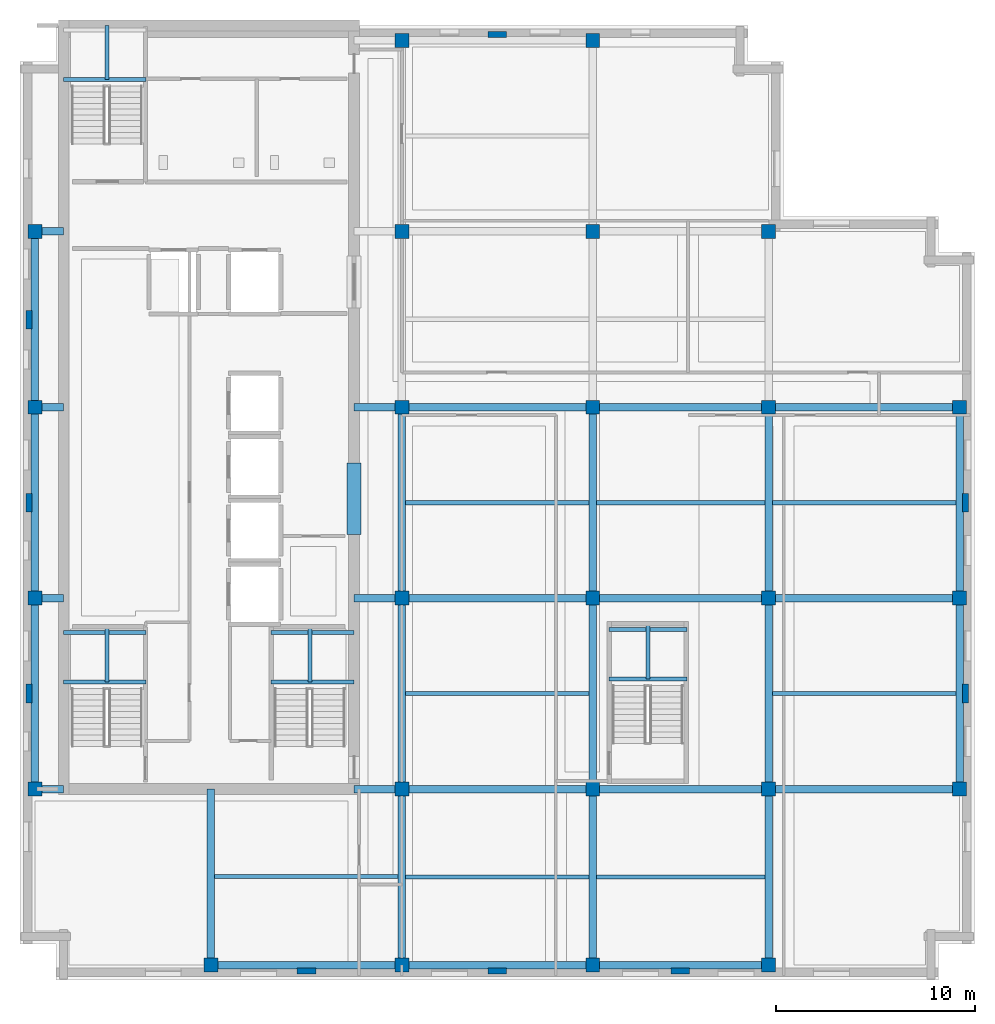
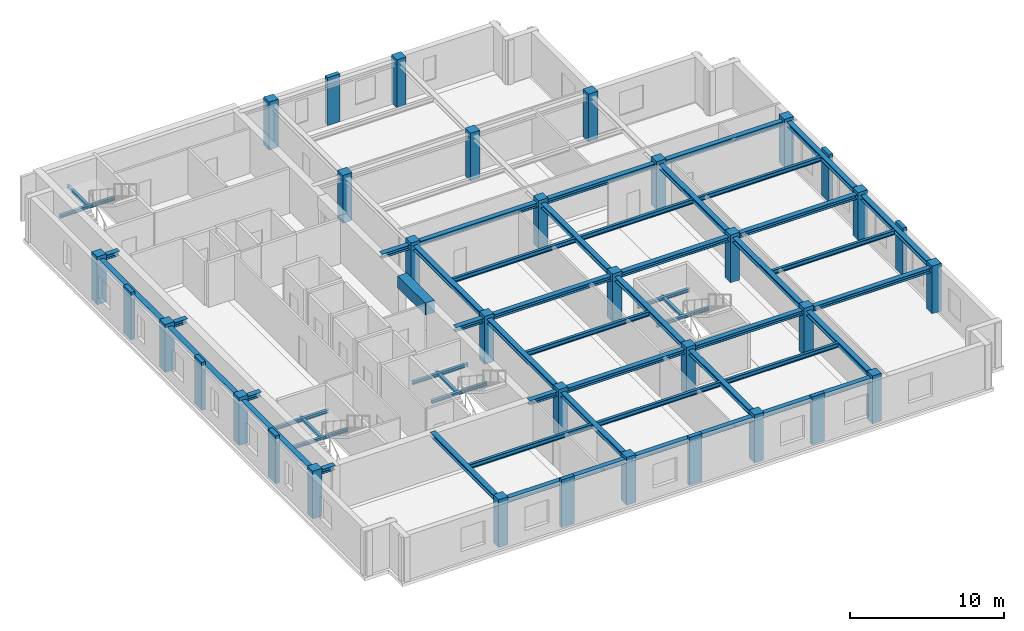
# One storey, part 1 of 10: 54 beams, 34 columns.
"""IFC4 building model written with IfcOpenShell, lengths in metres."""

from ifc_helpers import new_model, si_unit, direction, frame, origin, origin_2d, place, context, subcontext, project, spatial, rectangle, i_section, extrude, material, material_profile, profile_set, type_object, element, save


model = new_model("IFC4")

# Units and contexts
model_context = context("Model", 3, precision=1e-05, world=origin(), true_north=direction((0.0, 1.0)))
body_context = subcontext(model_context, "Body", "Model", "MODEL_VIEW")
ifc_project = project(units=[si_unit("LENGTHUNIT", "METRE"), si_unit("AREAUNIT", "SQUARE_METRE"), si_unit("VOLUMEUNIT", "CUBIC_METRE"), si_unit("PLANEANGLEUNIT", "RADIAN"), si_unit("MASSUNIT", "GRAM", prefix="KILO")], contexts=[model_context])

# Site, building, storey
site_placement = place(None, origin())
site = spatial("IfcSite", under=ifc_project, at=site_placement, CompositionType="ELEMENT")
building_placement = place(site_placement, origin())
building = spatial("IfcBuilding", under=site, at=building_placement, Name="Norrvale University Quadrangle", CompositionType="ELEMENT")
storey_placement = place(building_placement, frame((0.0, 0.0, 292.39990234375)))
storey = spatial("IfcBuildingStorey", under=building, at=storey_placement, Name="L74", CompositionType="ELEMENT", Elevation=292.39990234375)

# Columns
ifc_material_1 = material(Name="Red Manganese Brick Concrete C60/75", Category="concrete")
ifc_material_profile_1 = material_profile(ifc_material_1, rectangle(XDim=0.949951171875, YDim=0.300048828125, at=origin_2d()), Name="Red Manganese Brick Concrete C60/75")
ifc_profile_set_1 = profile_set([ifc_material_profile_1], Name="Red Manganese Brick Concrete C60/75")
column_type_1 = type_object("IfcColumnType", Name="Column Brick Pier 950x300", PredefinedType="PILASTER", material=ifc_profile_set_1)
for number, where, z_axis, x_axis, name in (
    (1, (0.449951171875, 14.39990234375, 0.0), (0.0, 0.0, 1.0), (0.0, 1.0, 0.0), "Exterior Brick Facade Pilaster L74-01"),
    (2, (0.449951171875, 24.0, 0.0), (0.0, 0.0, 1.0), (0.0, 1.0, 0.0), "Exterior Brick Facade Pilaster L74-02"),
    (3, (0.449951171875, 33.199951171875, 0.0), (0.0, 0.0, 1.0), (0.0, 1.0, 0.0), "Exterior Brick Facade Pilaster L74-03"),
    (4, (14.39990234375, 0.449951171875, 0.0), (0.0, 0.0, 1.0), (1.0, 0.0, 0.0), "Exterior Brick Facade Pilaster L74-04"),
    (5, (24.0, 0.449951171875, 0.0), (0.0, 0.0, 1.0), (1.0, 0.0, 0.0), "Exterior Brick Facade Pilaster L74-05"),
    (6, (33.199951171875, 0.449951171875, 0.0), (0.0, 0.0, 1.0), (1.0, 0.0, 0.0), "Exterior Brick Facade Pilaster L74-06"),
    (7, (47.550048828125, 14.39990234375, 0.0), (0.0, 0.0, 1.0), (0.0, 1.0, 0.0), "Exterior Brick Facade Pilaster L74-07"),
    (8, (47.550048828125, 24.0, 0.0), (0.0, 0.0, 1.0), (0.0, 1.0, 0.0), "Exterior Brick Facade Pilaster L74-08"),
    (9, (24.0, 47.550048828125, 0.0), (0.0, 0.0, 1.0), (1.0, 0.0, 0.0), "Exterior Brick Facade Pilaster L74-09"),
):
    element("IfcColumn", number, at=place(storey_placement, frame(where, z_axis=z_axis, x_axis=x_axis)), inside=storey, type_object=column_type_1, Name=name, PredefinedType="PILASTER", context=body_context, shape_type="SweptSolid", body=[
        extrude(rectangle(XDim=0.949951171875, YDim=0.300048828125, at=origin_2d()), origin(), (0.0, 0.0, 1.0), 3.800048828125),
    ])
ifc_material_2 = material(Name="Concrete C60/75", Category="concrete")
ifc_material_profile_2 = material_profile(ifc_material_2, rectangle(XDim=0.699951171875, YDim=0.699951171875, at=origin_2d()), Name="Concrete C60/75")
ifc_profile_set_2 = profile_set([ifc_material_profile_2], Name="Concrete C60/75")
column_type_2 = type_object("IfcColumnType", Name="Column Tower Z4 700x700", PredefinedType="COLUMN", material=ifc_profile_set_2)
for number, where, z_axis, x_axis, name in (
    (10, (0.75, 9.60009765625, 0.0), (0.0, 0.0, 1.0), (1.0, 0.0, 0.0), "Tower Column L74-T01"),
    (11, (0.75, 19.199951171875, 0.0), (0.0, 0.0, 1.0), (1.0, 0.0, 0.0), "Tower Column L74-T02"),
    (12, (0.75, 28.800048828125, 0.0), (0.0, 0.0, 1.0), (1.0, 0.0, 0.0), "Tower Column L74-T03"),
    (13, (0.75, 37.64990234375, 0.0), (0.0, 0.0, 1.0), (1.0, 0.0, 0.0), "Tower Column L74-T04"),
    (14, (9.60009765625, 0.75, 0.0), (0.0, 0.0, 1.0), (1.0, 0.0, 0.0), "Tower Column L74-T05"),
    (15, (19.199951171875, 0.75, 0.0), (0.0, 0.0, 1.0), (1.0, 0.0, 0.0), "Tower Column L74-T06"),
    (16, (19.199951171875, 9.60009765625, 0.0), (0.0, 0.0, 1.0), (1.0, 0.0, 0.0), "Tower Column L74-T07"),
    (17, (19.199951171875, 19.199951171875, 0.0), (0.0, 0.0, 1.0), (1.0, 0.0, 0.0), "Tower Column L74-T08"),
    (18, (19.199951171875, 28.800048828125, 0.0), (0.0, 0.0, 1.0), (1.0, 0.0, 0.0), "Tower Column L74-T09"),
    (19, (19.199951171875, 37.64990234375, 0.0), (0.0, 0.0, 1.0), (1.0, 0.0, 0.0), "Tower Column L74-T10"),
    (20, (19.199951171875, 47.25, 0.0), (0.0, 0.0, 1.0), (1.0, 0.0, 0.0), "Tower Column L74-T11"),
    (21, (28.800048828125, 0.75, 0.0), (0.0, 0.0, 1.0), (1.0, 0.0, 0.0), "Tower Column L74-T12"),
    (22, (28.800048828125, 9.60009765625, 0.0), (0.0, 0.0, 1.0), (1.0, 0.0, 0.0), "Tower Column L74-T13"),
    (23, (28.800048828125, 19.199951171875, 0.0), (0.0, 0.0, 1.0), (1.0, 0.0, 0.0), "Tower Column L74-T14"),
    (24, (28.800048828125, 28.800048828125, 0.0), (0.0, 0.0, 1.0), (1.0, 0.0, 0.0), "Tower Column L74-T15"),
    (25, (28.800048828125, 37.64990234375, 0.0), (0.0, 0.0, 1.0), (1.0, 0.0, 0.0), "Tower Column L74-T16"),
    (26, (28.800048828125, 47.25, 0.0), (0.0, 0.0, 1.0), (1.0, 0.0, 0.0), "Tower Column L74-T17"),
    (27, (37.64990234375, 0.75, 0.0), (0.0, 0.0, 1.0), (1.0, 0.0, 0.0), "Tower Column L74-T18"),
    (28, (37.64990234375, 9.60009765625, 0.0), (0.0, 0.0, 1.0), (1.0, 0.0, 0.0), "Tower Column L74-T19"),
    (29, (37.64990234375, 19.199951171875, 0.0), (0.0, 0.0, 1.0), (1.0, 0.0, 0.0), "Tower Column L74-T20"),
    (30, (37.64990234375, 28.800048828125, 0.0), (0.0, 0.0, 1.0), (1.0, 0.0, 0.0), "Tower Column L74-T21"),
    (31, (37.64990234375, 37.64990234375, 0.0), (0.0, 0.0, 1.0), (1.0, 0.0, 0.0), "Tower Column L74-T22"),
    (32, (47.25, 9.60009765625, 0.0), (0.0, 0.0, 1.0), (1.0, 0.0, 0.0), "Tower Column L74-T23"),
    (33, (47.25, 19.199951171875, 0.0), (0.0, 0.0, 1.0), (1.0, 0.0, 0.0), "Tower Column L74-T24"),
    (34, (47.25, 28.800048828125, 0.0), (0.0, 0.0, 1.0), (1.0, 0.0, 0.0), "Tower Column L74-T25"),
):
    element("IfcColumn", number, at=place(storey_placement, frame(where, z_axis=z_axis, x_axis=x_axis)), inside=storey, type_object=column_type_2, Name=name, PredefinedType="COLUMN", context=body_context, shape_type="SweptSolid", body=[
        extrude(rectangle(XDim=0.699951171875, YDim=0.699951171875, at=origin_2d()), origin(), (0.0, 0.0, 1.0), 3.800048828125),
    ])

# Beams
ifc_material_3 = material(Name="Concrete C80/95", Category="concrete")
ifc_material_profile_3 = material_profile(ifc_material_3, rectangle(XDim=0.699951171875, YDim=0.949951171875, at=origin_2d()), Name="Concrete C80/95")
ifc_profile_set_3 = profile_set([ifc_material_profile_3], Name="Concrete C80/95")
beam_type_1 = type_object("IfcBeamType", Name="Beam Core Link 700x950", PredefinedType="LINTEL", material=ifc_profile_set_3)
beam_1_placement = place(storey_placement, frame((16.800048828125, 22.39990234375, 3.065185546875), z_axis=(0.0, 1.0, 0.0), x_axis=(-1.0, 0.0, 0.0)))
element("IfcBeam", 35, at=beam_1_placement, inside=storey, type_object=beam_type_1, Name="Core Coupling Lintel Beam L74-1", PredefinedType="LINTEL", context=body_context, shape_type="SweptSolid", body=[
    extrude(rectangle(XDim=0.699951171875, YDim=0.949951171875, at=origin_2d()), origin(), (0.0, 0.0, 1.0), 3.60009765625),
])
ifc_material_4 = material(Name="Steel 350W", Category="steel")
ifc_material_profile_4 = material_profile(ifc_material_4, i_section(OverallWidth=0.368896484375, OverallDepth=0.35595703125, WebThickness=0.01123046875, FlangeThickness=0.01806640625, FilletRadius=0.014892578125, at=origin_2d()), Name="Steel 350W")
ifc_profile_set_4 = profile_set([ifc_material_profile_4], Name="Steel 350W")
beam_type_2 = type_object("IfcBeamType", Name="Beam Crown W360x134", PredefinedType="BEAM", material=ifc_profile_set_4)
beam_2_placement = place(storey_placement, frame((9.60009765625, 0.75, 3.362060546875), z_axis=(1.0, 0.0, 0.0), x_axis=(0.0, 1.0, 0.0)))
element("IfcBeam", 36, at=beam_2_placement, inside=storey, type_object=beam_type_2, Name="Beam Crown W360x134 BM-L74-GX001", PredefinedType="BEAM", context=body_context, shape_type="SweptSolid", body=[
    extrude(i_section(OverallWidth=0.368896484375, OverallDepth=0.35595703125, WebThickness=0.01123046875, FlangeThickness=0.01806640625, FilletRadius=0.014892578125, at=origin_2d()), origin(), (0.0, 0.0, 1.0), 9.599853515625),
])
beam_3_placement = place(storey_placement, frame((19.199951171875, 0.75, 3.362060546875), z_axis=(1.0, 0.0, 0.0), x_axis=(0.0, 1.0, 0.0)))
element("IfcBeam", 37, at=beam_3_placement, inside=storey, type_object=beam_type_2, Name="Beam Crown W360x134 BM-L74-GX002", PredefinedType="BEAM", context=body_context, shape_type="SweptSolid", body=[
    extrude(i_section(OverallWidth=0.368896484375, OverallDepth=0.35595703125, WebThickness=0.01123046875, FlangeThickness=0.01806640625, FilletRadius=0.014892578125, at=origin_2d()), origin(), (0.0, 0.0, 1.0), 9.60009765625),
])
beam_4_placement = place(storey_placement, frame((28.800048828125, 0.75, 3.362060546875), z_axis=(1.0, 0.0, 0.0), x_axis=(0.0, 1.0, 0.0)))
element("IfcBeam", 38, at=beam_4_placement, inside=storey, type_object=beam_type_2, Name="Beam Crown W360x134 BM-L74-GX003", PredefinedType="BEAM", context=body_context, shape_type="SweptSolid", body=[
    extrude(i_section(OverallWidth=0.368896484375, OverallDepth=0.35595703125, WebThickness=0.01123046875, FlangeThickness=0.01806640625, FilletRadius=0.014892578125, at=origin_2d()), origin(), (0.0, 0.0, 1.0), 8.849853515625),
])
beam_5_placement = place(storey_placement, frame((19.199951171875, 9.60009765625, 3.362060546875), z_axis=(1.0, 0.0, 0.0), x_axis=(0.0, 1.0, 0.0)))
element("IfcBeam", 39, at=beam_5_placement, inside=storey, type_object=beam_type_2, Name="Beam Crown W360x134 BM-L74-GX004", PredefinedType="BEAM", context=body_context, shape_type="SweptSolid", body=[
    extrude(i_section(OverallWidth=0.368896484375, OverallDepth=0.35595703125, WebThickness=0.01123046875, FlangeThickness=0.01806640625, FilletRadius=0.014892578125, at=origin_2d()), origin(), (0.0, 0.0, 1.0), 9.60009765625),
])
beam_6_placement = place(storey_placement, frame((28.800048828125, 9.60009765625, 3.362060546875), z_axis=(1.0, 0.0, 0.0), x_axis=(0.0, 1.0, 0.0)))
element("IfcBeam", 40, at=beam_6_placement, inside=storey, type_object=beam_type_2, Name="Beam Crown W360x134 BM-L74-GX005", PredefinedType="BEAM", context=body_context, shape_type="SweptSolid", body=[
    extrude(i_section(OverallWidth=0.368896484375, OverallDepth=0.35595703125, WebThickness=0.01123046875, FlangeThickness=0.01806640625, FilletRadius=0.014892578125, at=origin_2d()), origin(), (0.0, 0.0, 1.0), 8.849853515625),
])
for number, where, z_axis, x_axis, name in (
    (41, (37.64990234375, 9.60009765625, 3.362060546875), (1.0, 0.0, 0.0), (0.0, 1.0, 0.0), "Beam Crown W360x134 BM-L74-GX006"),
    (42, (19.199951171875, 19.199951171875, 3.362060546875), (1.0, 0.0, 0.0), (0.0, 1.0, 0.0), "Beam Crown W360x134 BM-L74-GX007"),
):
    element("IfcBeam", number, at=place(storey_placement, frame(where, z_axis=z_axis, x_axis=x_axis)), inside=storey, type_object=beam_type_2, Name=name, PredefinedType="BEAM", context=body_context, shape_type="SweptSolid", body=[
        extrude(i_section(OverallWidth=0.368896484375, OverallDepth=0.35595703125, WebThickness=0.01123046875, FlangeThickness=0.01806640625, FilletRadius=0.014892578125, at=origin_2d()), origin(), (0.0, 0.0, 1.0), 9.60009765625),
    ])
beam_7_placement = place(storey_placement, frame((28.800048828125, 19.199951171875, 3.362060546875), z_axis=(1.0, 0.0, 0.0), x_axis=(0.0, 1.0, 0.0)))
element("IfcBeam", 43, at=beam_7_placement, inside=storey, type_object=beam_type_2, Name="Beam Crown W360x134 BM-L74-GX008", PredefinedType="BEAM", context=body_context, shape_type="SweptSolid", body=[
    extrude(i_section(OverallWidth=0.368896484375, OverallDepth=0.35595703125, WebThickness=0.01123046875, FlangeThickness=0.01806640625, FilletRadius=0.014892578125, at=origin_2d()), origin(), (0.0, 0.0, 1.0), 8.849853515625),
])
for number, where, z_axis, x_axis, name in (
    (44, (37.64990234375, 19.199951171875, 3.362060546875), (1.0, 0.0, 0.0), (0.0, 1.0, 0.0), "Beam Crown W360x134 BM-L74-GX009"),
    (45, (19.199951171875, 28.800048828125, 3.362060546875), (1.0, 0.0, 0.0), (0.0, 1.0, 0.0), "Beam Crown W360x134 BM-L74-GX010"),
):
    element("IfcBeam", number, at=place(storey_placement, frame(where, z_axis=z_axis, x_axis=x_axis)), inside=storey, type_object=beam_type_2, Name=name, PredefinedType="BEAM", context=body_context, shape_type="SweptSolid", body=[
        extrude(i_section(OverallWidth=0.368896484375, OverallDepth=0.35595703125, WebThickness=0.01123046875, FlangeThickness=0.01806640625, FilletRadius=0.014892578125, at=origin_2d()), origin(), (0.0, 0.0, 1.0), 9.60009765625),
    ])
beam_8_placement = place(storey_placement, frame((28.800048828125, 28.800048828125, 3.362060546875), z_axis=(1.0, 0.0, 0.0), x_axis=(0.0, 1.0, 0.0)))
element("IfcBeam", 46, at=beam_8_placement, inside=storey, type_object=beam_type_2, Name="Beam Crown W360x134 BM-L74-GX011", PredefinedType="BEAM", context=body_context, shape_type="SweptSolid", body=[
    extrude(i_section(OverallWidth=0.368896484375, OverallDepth=0.35595703125, WebThickness=0.01123046875, FlangeThickness=0.01806640625, FilletRadius=0.014892578125, at=origin_2d()), origin(), (0.0, 0.0, 1.0), 8.849853515625),
])
beam_9_placement = place(storey_placement, frame((37.64990234375, 28.800048828125, 3.362060546875), z_axis=(1.0, 0.0, 0.0), x_axis=(0.0, 1.0, 0.0)))
element("IfcBeam", 47, at=beam_9_placement, inside=storey, type_object=beam_type_2, Name="Beam Crown W360x134 BM-L74-GX012", PredefinedType="BEAM", context=body_context, shape_type="SweptSolid", body=[
    extrude(i_section(OverallWidth=0.368896484375, OverallDepth=0.35595703125, WebThickness=0.01123046875, FlangeThickness=0.01806640625, FilletRadius=0.014892578125, at=origin_2d()), origin(), (0.0, 0.0, 1.0), 9.60009765625),
])
beam_10_placement = place(storey_placement, frame((0.75, 9.60009765625, 3.362060546875), z_axis=(0.0, 1.0, 0.0), x_axis=(-1.0, 0.0, 0.0)))
element("IfcBeam", 48, at=beam_10_placement, inside=storey, type_object=beam_type_2, Name="Beam Crown W360x134 BM-L74-GY016", PredefinedType="BEAM", context=body_context, shape_type="SweptSolid", body=[
    extrude(i_section(OverallWidth=0.368896484375, OverallDepth=0.35595703125, WebThickness=0.01123046875, FlangeThickness=0.01806640625, FilletRadius=0.014892578125, at=origin_2d()), origin(), (0.0, 0.0, 1.0), 9.599853515625),
])
beam_11_placement = place(storey_placement, frame((0.75, 19.199951171875, 3.362060546875), z_axis=(0.0, 1.0, 0.0), x_axis=(-1.0, 0.0, 0.0)))
element("IfcBeam", 49, at=beam_11_placement, inside=storey, type_object=beam_type_2, Name="Beam Crown W360x134 BM-L74-GY017", PredefinedType="BEAM", context=body_context, shape_type="SweptSolid", body=[
    extrude(i_section(OverallWidth=0.368896484375, OverallDepth=0.35595703125, WebThickness=0.01123046875, FlangeThickness=0.01806640625, FilletRadius=0.014892578125, at=origin_2d()), origin(), (0.0, 0.0, 1.0), 9.60009765625),
])
beam_12_placement = place(storey_placement, frame((0.75, 28.800048828125, 3.362060546875), z_axis=(0.0, 1.0, 0.0), x_axis=(-1.0, 0.0, 0.0)))
element("IfcBeam", 50, at=beam_12_placement, inside=storey, type_object=beam_type_2, Name="Beam Crown W360x134 BM-L74-GY018", PredefinedType="BEAM", context=body_context, shape_type="SweptSolid", body=[
    extrude(i_section(OverallWidth=0.368896484375, OverallDepth=0.35595703125, WebThickness=0.01123046875, FlangeThickness=0.01806640625, FilletRadius=0.014892578125, at=origin_2d()), origin(), (0.0, 0.0, 1.0), 8.849853515625),
])
beam_13_placement = place(storey_placement, frame((19.199951171875, 0.75, 3.362060546875), z_axis=(0.0, 1.0, 0.0), x_axis=(-1.0, 0.0, 0.0)))
element("IfcBeam", 51, at=beam_13_placement, inside=storey, type_object=beam_type_2, Name="Beam Crown W360x134 BM-L74-GY019", PredefinedType="BEAM", context=body_context, shape_type="SweptSolid", body=[
    extrude(i_section(OverallWidth=0.368896484375, OverallDepth=0.35595703125, WebThickness=0.01123046875, FlangeThickness=0.01806640625, FilletRadius=0.014892578125, at=origin_2d()), origin(), (0.0, 0.0, 1.0), 8.85009765625),
])
beam_14_placement = place(storey_placement, frame((19.199951171875, 9.60009765625, 3.362060546875), z_axis=(0.0, 1.0, 0.0), x_axis=(-1.0, 0.0, 0.0)))
element("IfcBeam", 52, at=beam_14_placement, inside=storey, type_object=beam_type_2, Name="Beam Crown W360x134 BM-L74-GY020", PredefinedType="BEAM", context=body_context, shape_type="SweptSolid", body=[
    extrude(i_section(OverallWidth=0.368896484375, OverallDepth=0.35595703125, WebThickness=0.01123046875, FlangeThickness=0.01806640625, FilletRadius=0.014892578125, at=origin_2d()), origin(), (0.0, 0.0, 1.0), 9.599853515625),
])
beam_15_placement = place(storey_placement, frame((19.199951171875, 19.199951171875, 3.362060546875), z_axis=(0.0, 1.0, 0.0), x_axis=(-1.0, 0.0, 0.0)))
element("IfcBeam", 53, at=beam_15_placement, inside=storey, type_object=beam_type_2, Name="Beam Crown W360x134 BM-L74-GY021", PredefinedType="BEAM", context=body_context, shape_type="SweptSolid", body=[
    extrude(i_section(OverallWidth=0.368896484375, OverallDepth=0.35595703125, WebThickness=0.01123046875, FlangeThickness=0.01806640625, FilletRadius=0.014892578125, at=origin_2d()), origin(), (0.0, 0.0, 1.0), 9.60009765625),
])
beam_16_placement = place(storey_placement, frame((28.800048828125, 0.75, 3.362060546875), z_axis=(0.0, 1.0, 0.0), x_axis=(-1.0, 0.0, 0.0)))
element("IfcBeam", 54, at=beam_16_placement, inside=storey, type_object=beam_type_2, Name="Beam Crown W360x134 BM-L74-GY024", PredefinedType="BEAM", context=body_context, shape_type="SweptSolid", body=[
    extrude(i_section(OverallWidth=0.368896484375, OverallDepth=0.35595703125, WebThickness=0.01123046875, FlangeThickness=0.01806640625, FilletRadius=0.014892578125, at=origin_2d()), origin(), (0.0, 0.0, 1.0), 8.85009765625),
])
beam_17_placement = place(storey_placement, frame((28.800048828125, 9.60009765625, 3.362060546875), z_axis=(0.0, 1.0, 0.0), x_axis=(-1.0, 0.0, 0.0)))
element("IfcBeam", 55, at=beam_17_placement, inside=storey, type_object=beam_type_2, Name="Beam Crown W360x134 BM-L74-GY025", PredefinedType="BEAM", context=body_context, shape_type="SweptSolid", body=[
    extrude(i_section(OverallWidth=0.368896484375, OverallDepth=0.35595703125, WebThickness=0.01123046875, FlangeThickness=0.01806640625, FilletRadius=0.014892578125, at=origin_2d()), origin(), (0.0, 0.0, 1.0), 9.599853515625),
])
beam_18_placement = place(storey_placement, frame((28.800048828125, 19.199951171875, 3.362060546875), z_axis=(0.0, 1.0, 0.0), x_axis=(-1.0, 0.0, 0.0)))
element("IfcBeam", 56, at=beam_18_placement, inside=storey, type_object=beam_type_2, Name="Beam Crown W360x134 BM-L74-GY026", PredefinedType="BEAM", context=body_context, shape_type="SweptSolid", body=[
    extrude(i_section(OverallWidth=0.368896484375, OverallDepth=0.35595703125, WebThickness=0.01123046875, FlangeThickness=0.01806640625, FilletRadius=0.014892578125, at=origin_2d()), origin(), (0.0, 0.0, 1.0), 9.60009765625),
])
beam_19_placement = place(storey_placement, frame((37.64990234375, 0.75, 3.362060546875), z_axis=(0.0, 1.0, 0.0), x_axis=(-1.0, 0.0, 0.0)))
element("IfcBeam", 57, at=beam_19_placement, inside=storey, type_object=beam_type_2, Name="Beam Crown W360x134 BM-L74-GY029", PredefinedType="BEAM", context=body_context, shape_type="SweptSolid", body=[
    extrude(i_section(OverallWidth=0.368896484375, OverallDepth=0.35595703125, WebThickness=0.01123046875, FlangeThickness=0.01806640625, FilletRadius=0.014892578125, at=origin_2d()), origin(), (0.0, 0.0, 1.0), 8.85009765625),
])
beam_20_placement = place(storey_placement, frame((37.64990234375, 9.60009765625, 3.362060546875), z_axis=(0.0, 1.0, 0.0), x_axis=(-1.0, 0.0, 0.0)))
element("IfcBeam", 58, at=beam_20_placement, inside=storey, type_object=beam_type_2, Name="Beam Crown W360x134 BM-L74-GY030", PredefinedType="BEAM", context=body_context, shape_type="SweptSolid", body=[
    extrude(i_section(OverallWidth=0.368896484375, OverallDepth=0.35595703125, WebThickness=0.01123046875, FlangeThickness=0.01806640625, FilletRadius=0.014892578125, at=origin_2d()), origin(), (0.0, 0.0, 1.0), 9.599853515625),
])
beam_21_placement = place(storey_placement, frame((37.64990234375, 19.199951171875, 3.362060546875), z_axis=(0.0, 1.0, 0.0), x_axis=(-1.0, 0.0, 0.0)))
element("IfcBeam", 59, at=beam_21_placement, inside=storey, type_object=beam_type_2, Name="Beam Crown W360x134 BM-L74-GY031", PredefinedType="BEAM", context=body_context, shape_type="SweptSolid", body=[
    extrude(i_section(OverallWidth=0.368896484375, OverallDepth=0.35595703125, WebThickness=0.01123046875, FlangeThickness=0.01806640625, FilletRadius=0.014892578125, at=origin_2d()), origin(), (0.0, 0.0, 1.0), 9.60009765625),
])
beam_22_placement = place(storey_placement, frame((47.25, 9.60009765625, 3.362060546875), z_axis=(0.0, 1.0, 0.0), x_axis=(-1.0, 0.0, 0.0)))
element("IfcBeam", 60, at=beam_22_placement, inside=storey, type_object=beam_type_2, Name="Beam Crown W360x134 BM-L74-GY033", PredefinedType="BEAM", context=body_context, shape_type="SweptSolid", body=[
    extrude(i_section(OverallWidth=0.368896484375, OverallDepth=0.35595703125, WebThickness=0.01123046875, FlangeThickness=0.01806640625, FilletRadius=0.014892578125, at=origin_2d()), origin(), (0.0, 0.0, 1.0), 9.599853515625),
])
beam_23_placement = place(storey_placement, frame((47.25, 19.199951171875, 3.362060546875), z_axis=(0.0, 1.0, 0.0), x_axis=(-1.0, 0.0, 0.0)))
element("IfcBeam", 61, at=beam_23_placement, inside=storey, type_object=beam_type_2, Name="Beam Crown W360x134 BM-L74-GY034", PredefinedType="BEAM", context=body_context, shape_type="SweptSolid", body=[
    extrude(i_section(OverallWidth=0.368896484375, OverallDepth=0.35595703125, WebThickness=0.01123046875, FlangeThickness=0.01806640625, FilletRadius=0.014892578125, at=origin_2d()), origin(), (0.0, 0.0, 1.0), 9.60009765625),
])
beam_24_placement = place(storey_placement, frame((0.75, 9.60009765625, 3.362060546875), z_axis=(1.0, 0.0, 0.0), x_axis=(0.0, 1.0, 0.0)))
element("IfcBeam", 62, at=beam_24_placement, inside=storey, type_object=beam_type_2, Name="Beam Crown W360x134 BM-L74-GCW035", PredefinedType="BEAM", context=body_context, shape_type="SweptSolid", body=[
    extrude(i_section(OverallWidth=0.368896484375, OverallDepth=0.35595703125, WebThickness=0.01123046875, FlangeThickness=0.01806640625, FilletRadius=0.014892578125, at=origin_2d()), origin(), (0.0, 0.0, 1.0), 1.449951171875),
])
beam_25_placement = place(storey_placement, frame((16.800048828125, 9.60009765625, 3.362060546875), z_axis=(1.0, 0.0, 0.0), x_axis=(0.0, 1.0, 0.0)))
element("IfcBeam", 63, at=beam_25_placement, inside=storey, type_object=beam_type_2, Name="Beam Crown W360x134 BM-L74-GCE036", PredefinedType="BEAM", context=body_context, shape_type="SweptSolid", body=[
    extrude(i_section(OverallWidth=0.368896484375, OverallDepth=0.35595703125, WebThickness=0.01123046875, FlangeThickness=0.01806640625, FilletRadius=0.014892578125, at=origin_2d()), origin(), (0.0, 0.0, 1.0), 2.39990234375),
])
beam_26_placement = place(storey_placement, frame((0.75, 19.199951171875, 3.362060546875), z_axis=(1.0, 0.0, 0.0), x_axis=(0.0, 1.0, 0.0)))
element("IfcBeam", 64, at=beam_26_placement, inside=storey, type_object=beam_type_2, Name="Beam Crown W360x134 BM-L74-GCW037", PredefinedType="BEAM", context=body_context, shape_type="SweptSolid", body=[
    extrude(i_section(OverallWidth=0.368896484375, OverallDepth=0.35595703125, WebThickness=0.01123046875, FlangeThickness=0.01806640625, FilletRadius=0.014892578125, at=origin_2d()), origin(), (0.0, 0.0, 1.0), 1.449951171875),
])
beam_27_placement = place(storey_placement, frame((16.800048828125, 19.199951171875, 3.362060546875), z_axis=(1.0, 0.0, 0.0), x_axis=(0.0, 1.0, 0.0)))
element("IfcBeam", 65, at=beam_27_placement, inside=storey, type_object=beam_type_2, Name="Beam Crown W360x134 BM-L74-GCE038", PredefinedType="BEAM", context=body_context, shape_type="SweptSolid", body=[
    extrude(i_section(OverallWidth=0.368896484375, OverallDepth=0.35595703125, WebThickness=0.01123046875, FlangeThickness=0.01806640625, FilletRadius=0.014892578125, at=origin_2d()), origin(), (0.0, 0.0, 1.0), 2.39990234375),
])
beam_28_placement = place(storey_placement, frame((0.75, 28.800048828125, 3.362060546875), z_axis=(1.0, 0.0, 0.0), x_axis=(0.0, 1.0, 0.0)))
element("IfcBeam", 66, at=beam_28_placement, inside=storey, type_object=beam_type_2, Name="Beam Crown W360x134 BM-L74-GCW039", PredefinedType="BEAM", context=body_context, shape_type="SweptSolid", body=[
    extrude(i_section(OverallWidth=0.368896484375, OverallDepth=0.35595703125, WebThickness=0.01123046875, FlangeThickness=0.01806640625, FilletRadius=0.014892578125, at=origin_2d()), origin(), (0.0, 0.0, 1.0), 1.449951171875),
])
beam_29_placement = place(storey_placement, frame((16.800048828125, 28.800048828125, 3.362060546875), z_axis=(1.0, 0.0, 0.0), x_axis=(0.0, 1.0, 0.0)))
element("IfcBeam", 67, at=beam_29_placement, inside=storey, type_object=beam_type_2, Name="Beam Crown W360x134 BM-L74-GCE040", PredefinedType="BEAM", context=body_context, shape_type="SweptSolid", body=[
    extrude(i_section(OverallWidth=0.368896484375, OverallDepth=0.35595703125, WebThickness=0.01123046875, FlangeThickness=0.01806640625, FilletRadius=0.014892578125, at=origin_2d()), origin(), (0.0, 0.0, 1.0), 2.39990234375),
])
beam_30_placement = place(storey_placement, frame((0.75, 37.64990234375, 3.362060546875), z_axis=(1.0, 0.0, 0.0), x_axis=(0.0, 1.0, 0.0)))
element("IfcBeam", 68, at=beam_30_placement, inside=storey, type_object=beam_type_2, Name="Beam Crown W360x134 BM-L74-GCW041", PredefinedType="BEAM", context=body_context, shape_type="SweptSolid", body=[
    extrude(i_section(OverallWidth=0.368896484375, OverallDepth=0.35595703125, WebThickness=0.01123046875, FlangeThickness=0.01806640625, FilletRadius=0.014892578125, at=origin_2d()), origin(), (0.0, 0.0, 1.0), 1.449951171875),
])
beam_31_placement = place(storey_placement, frame((9.60009765625, 0.75, 3.362060546875), z_axis=(0.0, 1.0, 0.0), x_axis=(-1.0, 0.0, 0.0)))
element("IfcBeam", 69, at=beam_31_placement, inside=storey, type_object=beam_type_2, Name="Beam Crown W360x134 BM-L74-GCS054", PredefinedType="BEAM", context=body_context, shape_type="SweptSolid", body=[
    extrude(i_section(OverallWidth=0.368896484375, OverallDepth=0.35595703125, WebThickness=0.01123046875, FlangeThickness=0.01806640625, FilletRadius=0.014892578125, at=origin_2d()), origin(), (0.0, 0.0, 1.0), 8.85009765625),
])
ifc_material_profile_5 = material_profile(ifc_material_4, i_section(OverallWidth=0.205078125, OverallDepth=0.35400390625, WebThickness=0.009521484375, FlangeThickness=0.016845703125, FilletRadius=0.011962890625, at=origin_2d()), Name="Steel 350W")
ifc_profile_set_5 = profile_set([ifc_material_profile_5], Name="Steel 350W")
beam_type_3 = type_object("IfcBeamType", Name="Beam Crown W360x79", PredefinedType="BEAM", material=ifc_profile_set_5)
for number, where, z_axis, x_axis, name in (
    (70, (19.384521484375, 5.175048828125, 3.363037109375), (1.0, 0.0, 0.0), (0.0, 1.0, 0.0), "Beam Crown W360x79 BM-L74-J044"),
    (71, (19.384521484375, 14.39990234375, 3.363037109375), (1.0, 0.0, 0.0), (0.0, 1.0, 0.0), "Beam Crown W360x79 BM-L74-J045"),
    (72, (19.384521484375, 24.0, 3.363037109375), (1.0, 0.0, 0.0), (0.0, 1.0, 0.0), "Beam Crown W360x79 BM-L74-J046"),
):
    element("IfcBeam", number, at=place(storey_placement, frame(where, z_axis=z_axis, x_axis=x_axis)), inside=storey, type_object=beam_type_3, Name=name, PredefinedType="BEAM", context=body_context, shape_type="SweptSolid", body=[
        extrude(i_section(OverallWidth=0.205078125, OverallDepth=0.35400390625, WebThickness=0.009521484375, FlangeThickness=0.016845703125, FilletRadius=0.011962890625, at=origin_2d()), origin(), (0.0, 0.0, 1.0), 9.23095703125),
    ])
for number, where, z_axis, x_axis, name in (
    (73, (28.984619140625, 5.175048828125, 3.363037109375), (1.0, 0.0, 0.0), (0.0, 1.0, 0.0), "Beam Crown W360x79 BM-L74-J049"),
    (74, (28.984619140625, 24.0, 3.363037109375), (1.0, 0.0, 0.0), (0.0, 1.0, 0.0), "Beam Crown W360x79 BM-L74-J050"),
):
    element("IfcBeam", number, at=place(storey_placement, frame(where, z_axis=z_axis, x_axis=x_axis)), inside=storey, type_object=beam_type_3, Name=name, PredefinedType="BEAM", context=body_context, shape_type="SweptSolid", body=[
        extrude(i_section(OverallWidth=0.205078125, OverallDepth=0.35400390625, WebThickness=0.009521484375, FlangeThickness=0.016845703125, FilletRadius=0.011962890625, at=origin_2d()), origin(), (0.0, 0.0, 1.0), 8.48095703125),
    ])
for number, where, z_axis, x_axis, name in (
    (75, (37.83447265625, 14.39990234375, 3.363037109375), (1.0, 0.0, 0.0), (0.0, 1.0, 0.0), "Beam Crown W360x79 BM-L74-J052"),
    (76, (37.83447265625, 24.0, 3.363037109375), (1.0, 0.0, 0.0), (0.0, 1.0, 0.0), "Beam Crown W360x79 BM-L74-J053"),
    (77, (9.784423828125, 5.199951171875, 3.363037109375), (1.0, 0.0, 0.0), (0.0, 1.0, 0.0), "Beam Crown W360x79 BM-L74-JCS055"),
):
    element("IfcBeam", number, at=place(storey_placement, frame(where, z_axis=z_axis, x_axis=x_axis)), inside=storey, type_object=beam_type_3, Name=name, PredefinedType="BEAM", context=body_context, shape_type="SweptSolid", body=[
        extrude(i_section(OverallWidth=0.205078125, OverallDepth=0.35400390625, WebThickness=0.009521484375, FlangeThickness=0.016845703125, FilletRadius=0.011962890625, at=origin_2d()), origin(), (0.0, 0.0, 1.0), 9.23095703125),
    ])
ifc_material_profile_6 = material_profile(ifc_material_4, i_section(OverallWidth=0.201904296875, OverallDepth=0.2470703125, WebThickness=0.00732421875, FlangeThickness=0.010986328125, FilletRadius=0.011962890625, at=origin_2d()), Name="Steel 350W")
ifc_profile_set_6 = profile_set([ifc_material_profile_6], Name="Steel 350W")
beam_type_4 = type_object("IfcBeamType", Name="Beam Stair W250x49", PredefinedType="BEAM", material=ifc_profile_set_6)
for number, where, z_axis, x_axis, name in (
    (78, (2.199951171875, 14.989990234375, 1.57666015625), (1.0, 0.0, 0.0), (0.0, 1.0, 0.0), "Stair Mid-Landing Front Beam ST-01 L74"),
    (79, (2.199951171875, 17.469970703125, 1.57666015625), (1.0, 0.0, 0.0), (0.0, 1.0, 0.0), "Stair Mid-Landing Rear Beam ST-01 L74"),
    (80, (2.199951171875, 45.2900390625, 1.57666015625), (1.0, 0.0, 0.0), (0.0, 1.0, 0.0), "Stair Mid-Landing Front Beam ST-02 L74"),
):
    element("IfcBeam", number, at=place(storey_placement, frame(where, z_axis=z_axis, x_axis=x_axis)), inside=storey, type_object=beam_type_4, Name=name, PredefinedType="BEAM", context=body_context, shape_type="SweptSolid", body=[
        extrude(i_section(OverallWidth=0.201904296875, OverallDepth=0.2470703125, WebThickness=0.00732421875, FlangeThickness=0.010986328125, FilletRadius=0.011962890625, at=origin_2d()), origin(), (0.0, 0.0, 1.0), 4.14013671875),
    ])
for number, where, z_axis, x_axis, name in (
    (81, (12.610107421875, 14.989990234375, 1.57666015625), (1.0, 0.0, 0.0), (0.0, 1.0, 0.0), "Stair Mid-Landing Front Beam ST-03 L74"),
    (82, (12.610107421875, 17.469970703125, 1.57666015625), (1.0, 0.0, 0.0), (0.0, 1.0, 0.0), "Stair Mid-Landing Rear Beam ST-03 L74"),
):
    element("IfcBeam", number, at=place(storey_placement, frame(where, z_axis=z_axis, x_axis=x_axis)), inside=storey, type_object=beam_type_4, Name=name, PredefinedType="BEAM", context=body_context, shape_type="SweptSolid", body=[
        extrude(i_section(OverallWidth=0.201904296875, OverallDepth=0.2470703125, WebThickness=0.00732421875, FlangeThickness=0.010986328125, FilletRadius=0.011962890625, at=origin_2d()), origin(), (0.0, 0.0, 1.0), 4.18994140625),
    ])
for number, where, z_axis, x_axis, name in (
    (83, (29.610107421875, 15.139892578125, 1.57666015625), (1.0, 0.0, 0.0), (0.0, 1.0, 0.0), "Stair Mid-Landing Front Beam ST-04 L74"),
    (84, (29.610107421875, 17.6201171875, 1.57666015625), (1.0, 0.0, 0.0), (0.0, 1.0, 0.0), "Stair Mid-Landing Rear Beam ST-04 L74"),
):
    element("IfcBeam", number, at=place(storey_placement, frame(where, z_axis=z_axis, x_axis=x_axis)), inside=storey, type_object=beam_type_4, Name=name, PredefinedType="BEAM", context=body_context, shape_type="SweptSolid", body=[
        extrude(i_section(OverallWidth=0.201904296875, OverallDepth=0.2470703125, WebThickness=0.00732421875, FlangeThickness=0.010986328125, FilletRadius=0.011962890625, at=origin_2d()), origin(), (0.0, 0.0, 1.0), 3.929931640625),
    ])
ifc_material_profile_7 = material_profile(ifc_material_4, i_section(OverallWidth=0.202880859375, OverallDepth=0.202880859375, WebThickness=0.007080078125, FlangeThickness=0.010986328125, FilletRadius=0.010009765625, at=origin_2d()), Name="Steel 350W")
ifc_profile_set_7 = profile_set([ifc_material_profile_7], Name="Steel 350W")
beam_type_5 = type_object("IfcBeamType", Name="Beam Trim W200x46", PredefinedType="BEAM", material=ifc_profile_set_7)
beam_32_placement = place(storey_placement, frame((4.375, 14.989990234375, 1.5986328125), z_axis=(0.0, 1.0, 0.0), x_axis=(-1.0, 0.0, 0.0)))
element("IfcBeam", 85, at=beam_32_placement, inside=storey, type_object=beam_type_5, Name="Stair Mid-Landing Cross Beam ST-01 L74", PredefinedType="BEAM", context=body_context, shape_type="SweptSolid", body=[
    extrude(i_section(OverallWidth=0.202880859375, OverallDepth=0.202880859375, WebThickness=0.007080078125, FlangeThickness=0.010986328125, FilletRadius=0.010009765625, at=origin_2d()), origin(), (0.0, 0.0, 1.0), 2.800048828125),
])
beam_33_placement = place(storey_placement, frame((4.375, 45.2900390625, 1.5986328125), z_axis=(0.0, 1.0, 0.0), x_axis=(-1.0, 0.0, 0.0)))
element("IfcBeam", 86, at=beam_33_placement, inside=storey, type_object=beam_type_5, Name="Stair Mid-Landing Cross Beam ST-02 L74", PredefinedType="BEAM", context=body_context, shape_type="SweptSolid", body=[
    extrude(i_section(OverallWidth=0.202880859375, OverallDepth=0.202880859375, WebThickness=0.007080078125, FlangeThickness=0.010986328125, FilletRadius=0.010009765625, at=origin_2d()), origin(), (0.0, 0.0, 1.0), 2.7099609375),
])
for number, where, z_axis, x_axis, name in (
    (87, (14.574951171875, 14.989990234375, 1.5986328125), (0.0, 1.0, 0.0), (-1.0, 0.0, 0.0), "Stair Mid-Landing Cross Beam ST-03 L74"),
    (88, (31.574951171875, 15.139892578125, 1.5986328125), (0.0, 1.0, 0.0), (-1.0, 0.0, 0.0), "Stair Mid-Landing Cross Beam ST-04 L74"),
):
    element("IfcBeam", number, at=place(storey_placement, frame(where, z_axis=z_axis, x_axis=x_axis)), inside=storey, type_object=beam_type_5, Name=name, PredefinedType="BEAM", context=body_context, shape_type="SweptSolid", body=[
        extrude(i_section(OverallWidth=0.202880859375, OverallDepth=0.202880859375, WebThickness=0.007080078125, FlangeThickness=0.010986328125, FilletRadius=0.010009765625, at=origin_2d()), origin(), (0.0, 0.0, 1.0), 2.800048828125),
    ])

save(model, "model.ifc")
